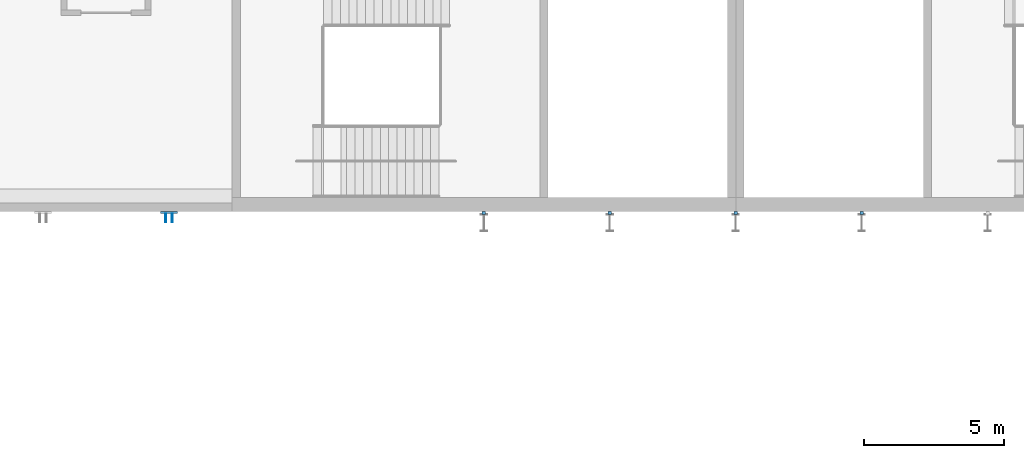
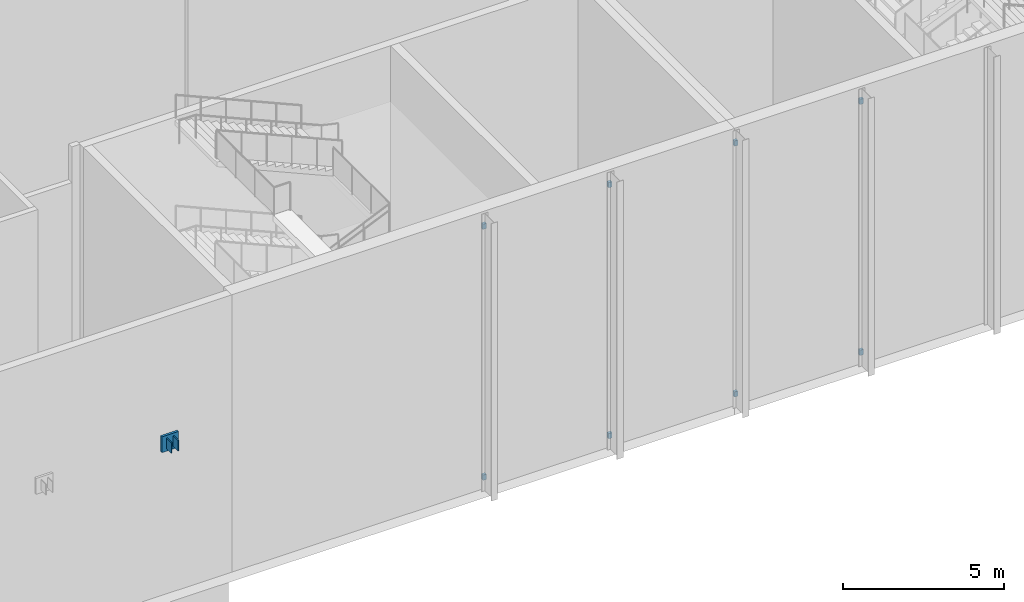
# One storey, part 109 of 182: 11 discrete accessories.
"""IFC4 building model written with IfcOpenShell, lengths in metres."""

from ifc_helpers import new_model, si_unit, direction, frame, origin, origin_2d, place, context, subcontext, project, spatial, rectangle, extrude, material, type_object, element, save


model = new_model("IFC4")

# Units and contexts
model_context = context("Model", 3, precision=1e-05, world=origin(), true_north=direction((0.0, 1.0)))
body_context = subcontext(model_context, "Body", "Model", "MODEL_VIEW")
ifc_project = project(units=[si_unit("LENGTHUNIT", "METRE"), si_unit("AREAUNIT", "SQUARE_METRE"), si_unit("VOLUMEUNIT", "CUBIC_METRE"), si_unit("PLANEANGLEUNIT", "RADIAN"), si_unit("MASSUNIT", "GRAM", prefix="KILO")], contexts=[model_context])

# Site, building, storey
site_placement = place(None, origin())
site = spatial("IfcSite", under=ifc_project, at=site_placement, CompositionType="ELEMENT")
building_placement = place(site_placement, origin())
building = spatial("IfcBuilding", under=site, at=building_placement, Name="Silverbay Arena", CompositionType="ELEMENT")
storey_placement = place(building_placement, frame((0.0, 0.0, 11.5)))
storey = spatial("IfcBuildingStorey", under=building, at=storey_placement, Name="L02", CompositionType="ELEMENT", Elevation=11.5)

# Discrete accessories
ifc_material = material(Name="Steel S355", Category="steel")
discrete_accessory_type = type_object("IfcDiscreteAccessoryType", Name="Steel bracket plate", PredefinedType="BRACKET", material=ifc_material)
discrete_accessory_placement = place(storey_placement, frame((78.75, 17.4599609375, 5.46337890625), z_axis=(0.0, 0.0, 1.0), x_axis=(1.0, 0.0, 0.0)))
element("IfcDiscreteAccessory", 1, at=discrete_accessory_placement, inside=storey, type_object=discrete_accessory_type, Name="Marquee tie anchor plate", PredefinedType="BRACKET", context=body_context, shape_type="SweptSolid", body=[
    extrude(rectangle(XDim=0.60009765625, YDim=0.080078125, at=origin_2d()), origin(), (0.0, 0.0, 1.0), 0.60009765625),
])
for number, where, z_axis, x_axis, name in (
    (2, (78.6298828125, 17.27001953125, 5.5634765625), (0.0, 0.0, 1.0), (1.0, 0.0, 0.0), "Marquee tie gusset plate"),
    (3, (78.8701171875, 17.27001953125, 5.5634765625), (0.0, 0.0, 1.0), (1.0, 0.0, 0.0), "Marquee tie gusset plate"),
):
    element("IfcDiscreteAccessory", number, at=place(storey_placement, frame(where, z_axis=z_axis, x_axis=x_axis)), inside=storey, type_object=discrete_accessory_type, Name=name, PredefinedType="BRACKET", context=body_context, shape_type="SweptSolid", body=[
        extrude(rectangle(XDim=0.030029296875, YDim=0.300048828125, at=origin_2d()), origin(), (0.0, 0.0, 1.0), 0.39990234375),
    ])
for number, where, z_axis, x_axis, name in (
    (4, (90.0, 17.449951171875, 0.39990234375), (0.0, 0.0, 1.0), (1.0, 0.0, 0.0), "Fin bracket"),
    (5, (90.0, 17.449951171875, 9.89990234375), (0.0, 0.0, 1.0), (1.0, 0.0, 0.0), "Fin bracket"),
    (6, (94.5, 17.449951171875, 0.39990234375), (0.0, 0.0, 1.0), (1.0, 0.0, 0.0), "Fin bracket"),
    (7, (94.5, 17.449951171875, 9.89990234375), (0.0, 0.0, 1.0), (1.0, 0.0, 0.0), "Fin bracket"),
    (8, (99.0, 17.449951171875, 0.39990234375), (0.0, 0.0, 1.0), (1.0, 0.0, 0.0), "Fin bracket"),
    (9, (99.0, 17.449951171875, 9.89990234375), (0.0, 0.0, 1.0), (1.0, 0.0, 0.0), "Fin bracket"),
    (10, (103.5, 17.449951171875, 0.39990234375), (0.0, 0.0, 1.0), (1.0, 0.0, 0.0), "Fin bracket"),
    (11, (103.5, 17.449951171875, 9.89990234375), (0.0, 0.0, 1.0), (1.0, 0.0, 0.0), "Fin bracket"),
):
    element("IfcDiscreteAccessory", number, at=place(storey_placement, frame(where, z_axis=z_axis, x_axis=x_axis)), inside=storey, type_object=discrete_accessory_type, Name=name, PredefinedType="BRACKET", context=body_context, shape_type="SweptSolid", body=[
        extrude(rectangle(XDim=0.1201171875, YDim=0.10009765625, at=origin_2d()), origin(), (0.0, 0.0, 1.0), 0.199951171875),
    ])

save(model, "model.ifc")
